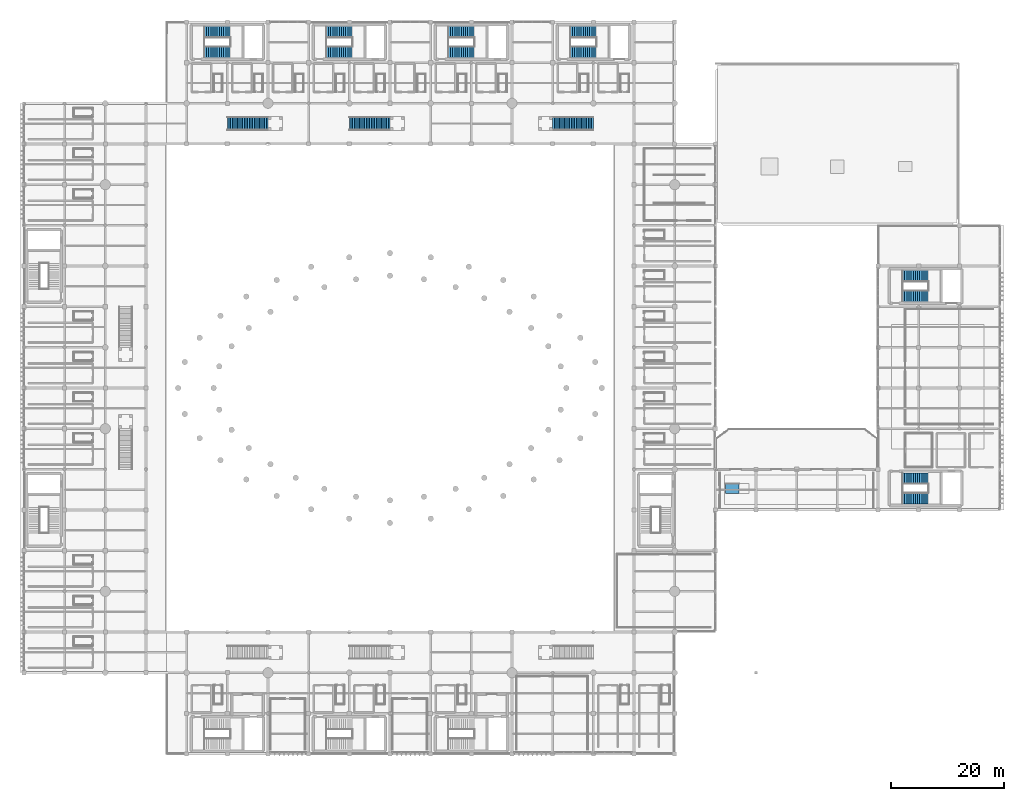
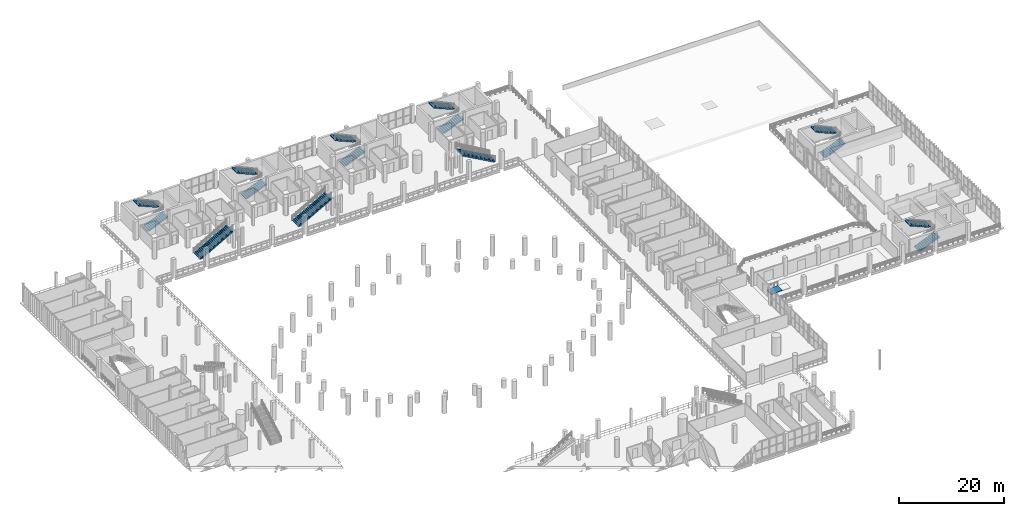
# One storey, part 113 of 130: 15 stair flights, 1 ramp flight, 10 elements without a shape of their own.
"""IFC4 building model written with IfcOpenShell, lengths in metres."""

from ifc_helpers import new_model, si_unit, direction, frame, origin, place, context, subcontext, project, spatial, polyline, outline, extrude, material, layer, layer_set, type_object, element, aggregate, save


model = new_model("IFC4")

# Units and contexts
model_context = context("Model", 3, precision=1e-05, world=origin(), true_north=direction((0.0, 1.0)))
body_context = subcontext(model_context, "Body", "Model", "MODEL_VIEW")
ifc_project = project(units=[si_unit("LENGTHUNIT", "METRE"), si_unit("AREAUNIT", "SQUARE_METRE"), si_unit("VOLUMEUNIT", "CUBIC_METRE"), si_unit("PLANEANGLEUNIT", "RADIAN"), si_unit("MASSUNIT", "GRAM", prefix="KILO")], contexts=[model_context])

# Site, building, storey
site_placement = place(None, origin())
site = spatial("IfcSite", under=ifc_project, at=site_placement, CompositionType="ELEMENT")
building_placement = place(site_placement, origin())
building = spatial("IfcBuilding", under=site, at=building_placement, Name="Qandorah Velis Arena", CompositionType="ELEMENT")
storey_placement = place(building_placement, frame((0.0, 0.0, 9.60009765625)))
storey = spatial("IfcBuildingStorey", under=building, at=storey_placement, Name="L02", CompositionType="ELEMENT", Elevation=9.60009765625)

# Stair, stair flights
ifc_material = material(Name="Concrete C40/50", Category="concrete")
stair_type_1 = type_object("IfcStairType", Name="ARC-ST-CORE42", PredefinedType="HALF_TURN_STAIR", material=ifc_material)
stair_1_placement = place(storey_placement, origin())
stair_1 = element("IfcStair", 1, at=stair_1_placement, inside=storey, type_object=stair_type_1, Name="Protected exit stair ST3 (L02)", PredefinedType="HALF_TURN_STAIR")
stair_flight_type_1 = type_object("IfcStairFlightType", Name="ARC-STF-1650", PredefinedType="STRAIGHT", material=ifc_material)
stair_flight_1_placement = place(storey_placement, frame((31.949951171875, 124.300048828125, 0.0), z_axis=(0.0, 0.0, 1.0), x_axis=(1.0, 0.0, 0.0)))
stair_flight_1 = element("IfcStairFlight", 2, at=stair_flight_1_placement, type_object=stair_flight_type_1, Name="ST3 flight 1", NumberOfRisers=13, NumberOfTreads=12, PredefinedType="STRAIGHT", RiserHeight=0.16154, TreadLength=0.378, context=body_context, shape_type="SweptSolid", body=[
    extrude(outline(polyline([(0.0, 0.0), (0.0, 0.16162109375), (0.3779296875, 0.16162109375), (0.3779296875, 0.322998046875), (0.756103515625, 0.322998046875), (0.756103515625, 0.484619140625), (1.134033203125, 0.484619140625), (1.134033203125, 0.646240234375), (1.511962890625, 0.646240234375), (1.511962890625, 0.8076171875), (1.889892578125, 0.8076171875), (1.889892578125, 0.96923828125), (2.26806640625, 0.96923828125), (2.26806640625, 1.130859375), (2.64599609375, 1.130859375), (2.64599609375, 1.292236328125), (3.02392578125, 1.292236328125), (3.02392578125, 1.453857421875), (3.402099609375, 1.453857421875), (3.402099609375, 1.615478515625), (3.780029296875, 1.615478515625), (3.780029296875, 1.77685546875), (4.157958984375, 1.77685546875), (4.157958984375, 1.9384765625), (4.535888671875, 1.9384765625), (4.535888671875, 2.10009765625), (4.535888671875, 1.69921875), (0.559814453125, 0.0), (0.0, 0.0)])), frame((0.0, 0.989990234375, 0.0), z_axis=(0.0, -1.0, 0.0), x_axis=(1.0, 0.0, 0.0)), (0.0, 0.0, 1.0), 1.97998046875),
])
stair_flight_2_placement = place(storey_placement, frame((36.486083984375, 127.800048828125, 2.099853515625), z_axis=(0.0, 0.0, 1.0), x_axis=(-1.0, 0.0, 0.0)))
stair_flight_2 = element("IfcStairFlight", 3, at=stair_flight_2_placement, type_object=stair_flight_type_1, Name="ST3 flight 2", NumberOfRisers=13, NumberOfTreads=12, PredefinedType="STRAIGHT", RiserHeight=0.16154, TreadLength=0.378, context=body_context, shape_type="SweptSolid", body=[
    extrude(outline(polyline([(0.0, 0.0), (0.0, 0.16162109375), (0.3779296875, 0.16162109375), (0.3779296875, 0.322998046875), (0.756103515625, 0.322998046875), (0.756103515625, 0.484619140625), (1.134033203125, 0.484619140625), (1.134033203125, 0.646240234375), (1.511962890625, 0.646240234375), (1.511962890625, 0.8076171875), (1.889892578125, 0.8076171875), (1.889892578125, 0.96923828125), (2.26806640625, 0.96923828125), (2.26806640625, 1.130859375), (2.64599609375, 1.130859375), (2.64599609375, 1.292236328125), (3.02392578125, 1.292236328125), (3.02392578125, 1.453857421875), (3.402099609375, 1.453857421875), (3.402099609375, 1.615478515625), (3.780029296875, 1.615478515625), (3.780029296875, 1.77685546875), (4.157958984375, 1.77685546875), (4.157958984375, 1.9384765625), (4.535888671875, 1.9384765625), (4.535888671875, 2.10009765625), (4.535888671875, 1.69921875), (0.559814453125, 0.0), (0.0, 0.0)])), frame((0.0, 0.989990234375, 0.0), z_axis=(0.0, -1.0, 0.0), x_axis=(1.0, 0.0, 0.0)), (0.0, 0.0, 1.0), 1.97998046875),
])
aggregate(stair_1, [stair_flight_1, stair_flight_2])

stair_2_placement = place(storey_placement, origin())
stair_2 = element("IfcStair", 4, at=stair_2_placement, inside=storey, type_object=stair_type_1, Name="Protected exit stair ST4 (L02)", PredefinedType="HALF_TURN_STAIR")
stair_flight_3_placement = place(storey_placement, frame((75.14990234375, 124.300048828125, 0.0), z_axis=(0.0, 0.0, 1.0), x_axis=(1.0, 0.0, 0.0)))
stair_flight_3 = element("IfcStairFlight", 5, at=stair_flight_3_placement, type_object=stair_flight_type_1, Name="ST4 flight 1", NumberOfRisers=13, NumberOfTreads=12, PredefinedType="STRAIGHT", RiserHeight=0.16154, TreadLength=0.378, context=body_context, shape_type="SweptSolid", body=[
    extrude(outline(polyline([(0.0, 0.0), (0.0, 0.16162109375), (0.3779296875, 0.16162109375), (0.3779296875, 0.322998046875), (0.756103515625, 0.322998046875), (0.756103515625, 0.484619140625), (1.134033203125, 0.484619140625), (1.134033203125, 0.646240234375), (1.511962890625, 0.646240234375), (1.511962890625, 0.8076171875), (1.889892578125, 0.8076171875), (1.889892578125, 0.96923828125), (2.26806640625, 0.96923828125), (2.26806640625, 1.130859375), (2.64599609375, 1.130859375), (2.64599609375, 1.292236328125), (3.02392578125, 1.292236328125), (3.02392578125, 1.453857421875), (3.402099609375, 1.453857421875), (3.402099609375, 1.615478515625), (3.780029296875, 1.615478515625), (3.780029296875, 1.77685546875), (4.157958984375, 1.77685546875), (4.157958984375, 1.9384765625), (4.535888671875, 1.9384765625), (4.535888671875, 2.10009765625), (4.535888671875, 1.69921875), (0.559814453125, 0.0), (0.0, 0.0)])), frame((0.0, 0.989990234375, 0.0), z_axis=(0.0, -1.0, 0.0), x_axis=(1.0, 0.0, 0.0)), (0.0, 0.0, 1.0), 1.97998046875),
])
stair_flight_4_placement = place(storey_placement, frame((79.68603515625, 127.800048828125, 2.099853515625), z_axis=(0.0, 0.0, 1.0), x_axis=(-1.0, 0.0, 0.0)))
stair_flight_4 = element("IfcStairFlight", 6, at=stair_flight_4_placement, type_object=stair_flight_type_1, Name="ST4 flight 2", NumberOfRisers=13, NumberOfTreads=12, PredefinedType="STRAIGHT", RiserHeight=0.16154, TreadLength=0.378, context=body_context, shape_type="SweptSolid", body=[
    extrude(outline(polyline([(0.0, 0.0), (0.0, 0.16162109375), (0.3779296875, 0.16162109375), (0.3779296875, 0.322998046875), (0.756103515625, 0.322998046875), (0.756103515625, 0.484619140625), (1.134033203125, 0.484619140625), (1.134033203125, 0.646240234375), (1.511962890625, 0.646240234375), (1.511962890625, 0.8076171875), (1.889892578125, 0.8076171875), (1.889892578125, 0.96923828125), (2.26806640625, 0.96923828125), (2.26806640625, 1.130859375), (2.64599609375, 1.130859375), (2.64599609375, 1.292236328125), (3.02392578125, 1.292236328125), (3.02392578125, 1.453857421875), (3.402099609375, 1.453857421875), (3.402099609375, 1.615478515625), (3.780029296875, 1.615478515625), (3.780029296875, 1.77685546875), (4.157958984375, 1.77685546875), (4.157958984375, 1.9384765625), (4.535888671875, 1.9384765625), (4.535888671875, 2.10009765625), (4.535888671875, 1.69921875), (0.559814453125, 0.0), (0.0, 0.0)])), frame((0.0, 0.989990234375, 0.0), z_axis=(0.0, -1.0, 0.0), x_axis=(1.0, 0.0, 0.0)), (0.0, 0.0, 1.0), 1.97998046875),
])
aggregate(stair_2, [stair_flight_3, stair_flight_4])

stair_3_placement = place(storey_placement, origin())
stair_3 = element("IfcStair", 7, at=stair_3_placement, inside=storey, type_object=stair_type_1, Name="Protected exit stair ST7 (L02)", PredefinedType="HALF_TURN_STAIR")
stair_flight_5_placement = place(storey_placement, frame((155.550048828125, 45.300048828125, 0.0), z_axis=(0.0, 0.0, 1.0), x_axis=(1.0, 0.0, 0.0)))
stair_flight_5 = element("IfcStairFlight", 8, at=stair_flight_5_placement, type_object=stair_flight_type_1, Name="ST7 flight 1", NumberOfRisers=13, NumberOfTreads=12, PredefinedType="STRAIGHT", RiserHeight=0.16154, TreadLength=0.378, context=body_context, shape_type="SweptSolid", body=[
    extrude(outline(polyline([(0.0, 0.0), (0.0, 0.16162109375), (0.3779296875, 0.16162109375), (0.3779296875, 0.322998046875), (0.756103515625, 0.322998046875), (0.756103515625, 0.484619140625), (1.134033203125, 0.484619140625), (1.134033203125, 0.646240234375), (1.511962890625, 0.646240234375), (1.511962890625, 0.8076171875), (1.889892578125, 0.8076171875), (1.889892578125, 0.96923828125), (2.26806640625, 0.96923828125), (2.26806640625, 1.130859375), (2.64599609375, 1.130859375), (2.64599609375, 1.292236328125), (3.02392578125, 1.292236328125), (3.02392578125, 1.453857421875), (3.402099609375, 1.453857421875), (3.402099609375, 1.615478515625), (3.780029296875, 1.615478515625), (3.780029296875, 1.77685546875), (4.157958984375, 1.77685546875), (4.157958984375, 1.9384765625), (4.535888671875, 1.9384765625), (4.535888671875, 2.10009765625), (4.535888671875, 1.69921875), (0.559814453125, 0.0), (0.0, 0.0)])), frame((0.0, 0.989990234375, 0.0), z_axis=(0.0, -1.0, 0.0), x_axis=(1.0, 0.0, 0.0)), (0.0, 0.0, 1.0), 1.97998046875),
])
stair_flight_6_placement = place(storey_placement, frame((160.0859375, 48.800048828125, 2.099853515625), z_axis=(0.0, 0.0, 1.0), x_axis=(-1.0, 0.0, 0.0)))
stair_flight_6 = element("IfcStairFlight", 9, at=stair_flight_6_placement, type_object=stair_flight_type_1, Name="ST7 flight 2", NumberOfRisers=13, NumberOfTreads=12, PredefinedType="STRAIGHT", RiserHeight=0.16154, TreadLength=0.378, context=body_context, shape_type="SweptSolid", body=[
    extrude(outline(polyline([(0.0, 0.0), (0.0, 0.16162109375), (0.3779296875, 0.16162109375), (0.3779296875, 0.322998046875), (0.756103515625, 0.322998046875), (0.756103515625, 0.484619140625), (1.134033203125, 0.484619140625), (1.134033203125, 0.646240234375), (1.511962890625, 0.646240234375), (1.511962890625, 0.8076171875), (1.889892578125, 0.8076171875), (1.889892578125, 0.96923828125), (2.26806640625, 0.96923828125), (2.26806640625, 1.130859375), (2.64599609375, 1.130859375), (2.64599609375, 1.292236328125), (3.02392578125, 1.292236328125), (3.02392578125, 1.453857421875), (3.402099609375, 1.453857421875), (3.402099609375, 1.615478515625), (3.780029296875, 1.615478515625), (3.780029296875, 1.77685546875), (4.157958984375, 1.77685546875), (4.157958984375, 1.9384765625), (4.535888671875, 1.9384765625), (4.535888671875, 2.10009765625), (4.535888671875, 1.69921875), (0.559814453125, 0.0), (0.0, 0.0)])), frame((0.0, 0.989990234375, 0.0), z_axis=(0.0, -1.0, 0.0), x_axis=(1.0, 0.0, 0.0)), (0.0, 0.0, 1.0), 1.97998046875),
])
aggregate(stair_3, [stair_flight_5, stair_flight_6])

stair_4_placement = place(storey_placement, origin())
stair_4 = element("IfcStair", 10, at=stair_4_placement, inside=storey, type_object=stair_type_1, Name="Protected exit stair ST8 (L02)", PredefinedType="HALF_TURN_STAIR")
stair_flight_7_placement = place(storey_placement, frame((155.550048828125, 81.10009765625, 0.0), z_axis=(0.0, 0.0, 1.0), x_axis=(1.0, 0.0, 0.0)))
stair_flight_7 = element("IfcStairFlight", 11, at=stair_flight_7_placement, type_object=stair_flight_type_1, Name="ST8 flight 1", NumberOfRisers=13, NumberOfTreads=12, PredefinedType="STRAIGHT", RiserHeight=0.16154, TreadLength=0.378, context=body_context, shape_type="SweptSolid", body=[
    extrude(outline(polyline([(0.0, 0.0), (0.0, 0.16162109375), (0.3779296875, 0.16162109375), (0.3779296875, 0.322998046875), (0.756103515625, 0.322998046875), (0.756103515625, 0.484619140625), (1.134033203125, 0.484619140625), (1.134033203125, 0.646240234375), (1.511962890625, 0.646240234375), (1.511962890625, 0.8076171875), (1.889892578125, 0.8076171875), (1.889892578125, 0.96923828125), (2.26806640625, 0.96923828125), (2.26806640625, 1.130859375), (2.64599609375, 1.130859375), (2.64599609375, 1.292236328125), (3.02392578125, 1.292236328125), (3.02392578125, 1.453857421875), (3.402099609375, 1.453857421875), (3.402099609375, 1.615478515625), (3.780029296875, 1.615478515625), (3.780029296875, 1.77685546875), (4.157958984375, 1.77685546875), (4.157958984375, 1.9384765625), (4.535888671875, 1.9384765625), (4.535888671875, 2.10009765625), (4.535888671875, 1.69921875), (0.559814453125, 0.0), (0.0, 0.0)])), frame((0.0, 0.989990234375, 0.0), z_axis=(0.0, -1.0, 0.0), x_axis=(1.0, 0.0, 0.0)), (0.0, 0.0, 1.0), 1.97998046875),
])
stair_flight_8_placement = place(storey_placement, frame((160.0859375, 84.60009765625, 2.099853515625), z_axis=(0.0, 0.0, 1.0), x_axis=(-1.0, 0.0, 0.0)))
stair_flight_8 = element("IfcStairFlight", 12, at=stair_flight_8_placement, type_object=stair_flight_type_1, Name="ST8 flight 2", NumberOfRisers=13, NumberOfTreads=12, PredefinedType="STRAIGHT", RiserHeight=0.16154, TreadLength=0.378, context=body_context, shape_type="SweptSolid", body=[
    extrude(outline(polyline([(0.0, 0.0), (0.0, 0.16162109375), (0.3779296875, 0.16162109375), (0.3779296875, 0.322998046875), (0.756103515625, 0.322998046875), (0.756103515625, 0.484619140625), (1.134033203125, 0.484619140625), (1.134033203125, 0.646240234375), (1.511962890625, 0.646240234375), (1.511962890625, 0.8076171875), (1.889892578125, 0.8076171875), (1.889892578125, 0.96923828125), (2.26806640625, 0.96923828125), (2.26806640625, 1.130859375), (2.64599609375, 1.130859375), (2.64599609375, 1.292236328125), (3.02392578125, 1.292236328125), (3.02392578125, 1.453857421875), (3.402099609375, 1.453857421875), (3.402099609375, 1.615478515625), (3.780029296875, 1.615478515625), (3.780029296875, 1.77685546875), (4.157958984375, 1.77685546875), (4.157958984375, 1.9384765625), (4.535888671875, 1.9384765625), (4.535888671875, 2.10009765625), (4.535888671875, 1.69921875), (0.559814453125, 0.0), (0.0, 0.0)])), frame((0.0, 0.989990234375, 0.0), z_axis=(0.0, -1.0, 0.0), x_axis=(1.0, 0.0, 0.0)), (0.0, 0.0, 1.0), 1.97998046875),
])
aggregate(stair_4, [stair_flight_7, stair_flight_8])

stair_5_placement = place(storey_placement, origin())
stair_5 = element("IfcStair", 13, at=stair_5_placement, inside=storey, type_object=stair_type_1, Name="Protected exit stair ST10 (L02)", PredefinedType="HALF_TURN_STAIR")
stair_flight_9_placement = place(storey_placement, frame((53.550048828125, 124.300048828125, 0.0), z_axis=(0.0, 0.0, 1.0), x_axis=(1.0, 0.0, 0.0)))
stair_flight_9 = element("IfcStairFlight", 14, at=stair_flight_9_placement, type_object=stair_flight_type_1, Name="ST10 flight 1", NumberOfRisers=13, NumberOfTreads=12, PredefinedType="STRAIGHT", RiserHeight=0.16154, TreadLength=0.378, context=body_context, shape_type="SweptSolid", body=[
    extrude(outline(polyline([(0.0, 0.0), (0.0, 0.16162109375), (0.3779296875, 0.16162109375), (0.3779296875, 0.322998046875), (0.756103515625, 0.322998046875), (0.756103515625, 0.484619140625), (1.134033203125, 0.484619140625), (1.134033203125, 0.646240234375), (1.511962890625, 0.646240234375), (1.511962890625, 0.8076171875), (1.889892578125, 0.8076171875), (1.889892578125, 0.96923828125), (2.26806640625, 0.96923828125), (2.26806640625, 1.130859375), (2.64599609375, 1.130859375), (2.64599609375, 1.292236328125), (3.02392578125, 1.292236328125), (3.02392578125, 1.453857421875), (3.402099609375, 1.453857421875), (3.402099609375, 1.615478515625), (3.780029296875, 1.615478515625), (3.780029296875, 1.77685546875), (4.157958984375, 1.77685546875), (4.157958984375, 1.9384765625), (4.535888671875, 1.9384765625), (4.535888671875, 2.10009765625), (4.535888671875, 1.69921875), (0.559814453125, 0.0), (0.0, 0.0)])), frame((0.0, 0.989990234375, 0.0), z_axis=(0.0, -1.0, 0.0), x_axis=(1.0, 0.0, 0.0)), (0.0, 0.0, 1.0), 1.97998046875),
])
stair_flight_10_placement = place(storey_placement, frame((58.0859375, 127.800048828125, 2.099853515625), z_axis=(0.0, 0.0, 1.0), x_axis=(-1.0, 0.0, 0.0)))
stair_flight_10 = element("IfcStairFlight", 15, at=stair_flight_10_placement, type_object=stair_flight_type_1, Name="ST10 flight 2", NumberOfRisers=13, NumberOfTreads=12, PredefinedType="STRAIGHT", RiserHeight=0.16154, TreadLength=0.378, context=body_context, shape_type="SweptSolid", body=[
    extrude(outline(polyline([(0.0, 0.0), (0.0, 0.16162109375), (0.3779296875, 0.16162109375), (0.3779296875, 0.322998046875), (0.756103515625, 0.322998046875), (0.756103515625, 0.484619140625), (1.134033203125, 0.484619140625), (1.134033203125, 0.646240234375), (1.511962890625, 0.646240234375), (1.511962890625, 0.8076171875), (1.889892578125, 0.8076171875), (1.889892578125, 0.96923828125), (2.26806640625, 0.96923828125), (2.26806640625, 1.130859375), (2.64599609375, 1.130859375), (2.64599609375, 1.292236328125), (3.02392578125, 1.292236328125), (3.02392578125, 1.453857421875), (3.402099609375, 1.453857421875), (3.402099609375, 1.615478515625), (3.780029296875, 1.615478515625), (3.780029296875, 1.77685546875), (4.157958984375, 1.77685546875), (4.157958984375, 1.9384765625), (4.535888671875, 1.9384765625), (4.535888671875, 2.10009765625), (4.535888671875, 1.69921875), (0.559814453125, 0.0), (0.0, 0.0)])), frame((0.0, 0.989990234375, 0.0), z_axis=(0.0, -1.0, 0.0), x_axis=(1.0, 0.0, 0.0)), (0.0, 0.0, 1.0), 1.97998046875),
])
aggregate(stair_5, [stair_flight_9, stair_flight_10])

stair_6_placement = place(storey_placement, origin())
stair_6 = element("IfcStair", 16, at=stair_6_placement, inside=storey, type_object=stair_type_1, Name="Protected exit stair ST12 (L02)", PredefinedType="HALF_TURN_STAIR")
stair_flight_11_placement = place(storey_placement, frame((96.75, 124.300048828125, 0.0), z_axis=(0.0, 0.0, 1.0), x_axis=(1.0, 0.0, 0.0)))
stair_flight_11 = element("IfcStairFlight", 17, at=stair_flight_11_placement, type_object=stair_flight_type_1, Name="ST12 flight 1", NumberOfRisers=13, NumberOfTreads=12, PredefinedType="STRAIGHT", RiserHeight=0.16154, TreadLength=0.378, context=body_context, shape_type="SweptSolid", body=[
    extrude(outline(polyline([(0.0, 0.0), (0.0, 0.16162109375), (0.3779296875, 0.16162109375), (0.3779296875, 0.322998046875), (0.756103515625, 0.322998046875), (0.756103515625, 0.484619140625), (1.134033203125, 0.484619140625), (1.134033203125, 0.646240234375), (1.511962890625, 0.646240234375), (1.511962890625, 0.8076171875), (1.889892578125, 0.8076171875), (1.889892578125, 0.96923828125), (2.26806640625, 0.96923828125), (2.26806640625, 1.130859375), (2.64599609375, 1.130859375), (2.64599609375, 1.292236328125), (3.02392578125, 1.292236328125), (3.02392578125, 1.453857421875), (3.402099609375, 1.453857421875), (3.402099609375, 1.615478515625), (3.780029296875, 1.615478515625), (3.780029296875, 1.77685546875), (4.157958984375, 1.77685546875), (4.157958984375, 1.9384765625), (4.535888671875, 1.9384765625), (4.535888671875, 2.10009765625), (4.535888671875, 1.69921875), (0.559814453125, 0.0), (0.0, 0.0)])), frame((0.0, 0.989990234375, 0.0), z_axis=(0.0, -1.0, 0.0), x_axis=(1.0, 0.0, 0.0)), (0.0, 0.0, 1.0), 1.97998046875),
])
stair_flight_12_placement = place(storey_placement, frame((101.285888671875, 127.800048828125, 2.099853515625), z_axis=(0.0, 0.0, 1.0), x_axis=(-1.0, 0.0, 0.0)))
stair_flight_12 = element("IfcStairFlight", 18, at=stair_flight_12_placement, type_object=stair_flight_type_1, Name="ST12 flight 2", NumberOfRisers=13, NumberOfTreads=12, PredefinedType="STRAIGHT", RiserHeight=0.16154, TreadLength=0.378, context=body_context, shape_type="SweptSolid", body=[
    extrude(outline(polyline([(0.0, 0.0), (0.0, 0.16162109375), (0.3779296875, 0.16162109375), (0.3779296875, 0.322998046875), (0.756103515625, 0.322998046875), (0.756103515625, 0.484619140625), (1.134033203125, 0.484619140625), (1.134033203125, 0.646240234375), (1.511962890625, 0.646240234375), (1.511962890625, 0.8076171875), (1.889892578125, 0.8076171875), (1.889892578125, 0.96923828125), (2.26806640625, 0.96923828125), (2.26806640625, 1.130859375), (2.64599609375, 1.130859375), (2.64599609375, 1.292236328125), (3.02392578125, 1.292236328125), (3.02392578125, 1.453857421875), (3.402099609375, 1.453857421875), (3.402099609375, 1.615478515625), (3.780029296875, 1.615478515625), (3.780029296875, 1.77685546875), (4.157958984375, 1.77685546875), (4.157958984375, 1.9384765625), (4.535888671875, 1.9384765625), (4.535888671875, 2.10009765625), (4.535888671875, 1.69921875), (0.559814453125, 0.0), (0.0, 0.0)])), frame((0.0, 0.989990234375, 0.0), z_axis=(0.0, -1.0, 0.0), x_axis=(1.0, 0.0, 0.0)), (0.0, 0.0, 1.0), 1.97998046875),
])
aggregate(stair_6, [stair_flight_11, stair_flight_12])

# Stair, stair flight
stair_type_2 = type_object("IfcStairType", Name="ARC-ST-VOM2400", PredefinedType="STRAIGHT_RUN_STAIR", material=ifc_material)
stair_7_placement = place(storey_placement, origin())
stair_7 = element("IfcStair", 19, at=stair_7_placement, inside=storey, type_object=stair_type_2, Name="Spectator vomitory stair VS12 (L02)", PredefinedType="STRAIGHT_RUN_STAIR")
stair_flight_type_2 = type_object("IfcStairFlightType", Name="ARC-STF-2400", PredefinedType="STRAIGHT", material=ifc_material)
stair_flight_13_placement = place(storey_placement, frame((36.0, 111.60009765625, 0.0), z_axis=(0.0, 0.0, 1.0), x_axis=(1.0, 0.0, 0.0)))
stair_flight_13 = element("IfcStairFlight", 20, at=stair_flight_13_placement, type_object=stair_flight_type_2, Name="VS12 flight 1", NumberOfRisers=25, NumberOfTreads=24, PredefinedType="STRAIGHT", RiserHeight=0.168, TreadLength=0.3, context=body_context, shape_type="SweptSolid", body=[
    extrude(outline(polyline([(0.0, 0.0), (0.0, 0.16796875), (0.300048828125, 0.16796875), (0.300048828125, 0.3359375), (0.60009765625, 0.3359375), (0.60009765625, 0.50390625), (0.89990234375, 0.50390625), (0.89990234375, 0.672119140625), (1.199951171875, 0.672119140625), (1.199951171875, 0.840087890625), (1.5, 0.840087890625), (1.5, 1.008056640625), (1.800048828125, 1.008056640625), (1.800048828125, 1.176025390625), (2.10009765625, 1.176025390625), (2.10009765625, 1.343994140625), (2.39990234375, 1.343994140625), (2.39990234375, 1.511962890625), (2.699951171875, 1.511962890625), (2.699951171875, 1.679931640625), (3.0, 1.679931640625), (3.0, 1.847900390625), (3.300048828125, 1.847900390625), (3.300048828125, 2.01611328125), (3.60009765625, 2.01611328125), (3.60009765625, 2.18408203125), (3.89990234375, 2.18408203125), (3.89990234375, 2.35205078125), (4.199951171875, 2.35205078125), (4.199951171875, 2.52001953125), (4.5, 2.52001953125), (4.5, 2.68798828125), (4.800048828125, 2.68798828125), (4.800048828125, 2.85595703125), (5.10009765625, 2.85595703125), (5.10009765625, 3.02392578125), (5.39990234375, 3.02392578125), (5.39990234375, 3.19189453125), (5.699951171875, 3.19189453125), (5.699951171875, 3.360107421875), (6.0, 3.360107421875), (6.0, 3.528076171875), (6.300048828125, 3.528076171875), (6.300048828125, 3.696044921875), (6.60009765625, 3.696044921875), (6.60009765625, 3.864013671875), (6.89990234375, 3.864013671875), (6.89990234375, 4.031982421875), (7.199951171875, 4.031982421875), (7.199951171875, 4.199951171875), (7.199951171875, 3.7568359375), (0.4912109375, 0.0), (0.0, 0.0)])), frame((0.0, 1.199951171875, 0.0), z_axis=(0.0, -1.0, 0.0), x_axis=(1.0, 0.0, 0.0)), (0.0, 0.0, 1.0), 2.39990234375),
])
aggregate(stair_7, [stair_flight_13])

stair_8_placement = place(storey_placement, origin())
stair_8 = element("IfcStair", 21, at=stair_8_placement, inside=storey, type_object=stair_type_2, Name="Spectator vomitory stair VS13 (L02)", PredefinedType="STRAIGHT_RUN_STAIR")
stair_flight_14_placement = place(storey_placement, frame((57.60009765625, 111.60009765625, 0.0), z_axis=(0.0, 0.0, 1.0), x_axis=(1.0, 0.0, 0.0)))
stair_flight_14 = element("IfcStairFlight", 22, at=stair_flight_14_placement, type_object=stair_flight_type_2, Name="VS13 flight 1", NumberOfRisers=25, NumberOfTreads=24, PredefinedType="STRAIGHT", RiserHeight=0.168, TreadLength=0.3, context=body_context, shape_type="SweptSolid", body=[
    extrude(outline(polyline([(0.0, 0.0), (0.0, 0.16796875), (0.300048828125, 0.16796875), (0.300048828125, 0.3359375), (0.60009765625, 0.3359375), (0.60009765625, 0.50390625), (0.89990234375, 0.50390625), (0.89990234375, 0.672119140625), (1.199951171875, 0.672119140625), (1.199951171875, 0.840087890625), (1.5, 0.840087890625), (1.5, 1.008056640625), (1.800048828125, 1.008056640625), (1.800048828125, 1.176025390625), (2.10009765625, 1.176025390625), (2.10009765625, 1.343994140625), (2.39990234375, 1.343994140625), (2.39990234375, 1.511962890625), (2.699951171875, 1.511962890625), (2.699951171875, 1.679931640625), (3.0, 1.679931640625), (3.0, 1.847900390625), (3.300048828125, 1.847900390625), (3.300048828125, 2.01611328125), (3.60009765625, 2.01611328125), (3.60009765625, 2.18408203125), (3.89990234375, 2.18408203125), (3.89990234375, 2.35205078125), (4.199951171875, 2.35205078125), (4.199951171875, 2.52001953125), (4.5, 2.52001953125), (4.5, 2.68798828125), (4.800048828125, 2.68798828125), (4.800048828125, 2.85595703125), (5.10009765625, 2.85595703125), (5.10009765625, 3.02392578125), (5.39990234375, 3.02392578125), (5.39990234375, 3.19189453125), (5.699951171875, 3.19189453125), (5.699951171875, 3.360107421875), (6.0, 3.360107421875), (6.0, 3.528076171875), (6.300048828125, 3.528076171875), (6.300048828125, 3.696044921875), (6.60009765625, 3.696044921875), (6.60009765625, 3.864013671875), (6.89990234375, 3.864013671875), (6.89990234375, 4.031982421875), (7.199951171875, 4.031982421875), (7.199951171875, 4.199951171875), (7.199951171875, 3.7568359375), (0.4912109375, 0.0), (0.0, 0.0)])), frame((0.0, 1.199951171875, 0.0), z_axis=(0.0, -1.0, 0.0), x_axis=(1.0, 0.0, 0.0)), (0.0, 0.0, 1.0), 2.39990234375),
])
aggregate(stair_8, [stair_flight_14])

stair_9_placement = place(storey_placement, origin())
stair_9 = element("IfcStair", 23, at=stair_9_placement, inside=storey, type_object=stair_type_2, Name="Spectator vomitory stair VS14 (L02)", PredefinedType="STRAIGHT_RUN_STAIR")
stair_flight_15_placement = place(storey_placement, frame((100.800048828125, 111.60009765625, 0.0), z_axis=(0.0, 0.0, 1.0), x_axis=(-1.0, 0.0, 0.0)))
stair_flight_15 = element("IfcStairFlight", 24, at=stair_flight_15_placement, type_object=stair_flight_type_2, Name="VS14 flight 1", NumberOfRisers=25, NumberOfTreads=24, PredefinedType="STRAIGHT", RiserHeight=0.168, TreadLength=0.3, context=body_context, shape_type="SweptSolid", body=[
    extrude(outline(polyline([(0.0, 0.0), (0.0, 0.16796875), (0.300048828125, 0.16796875), (0.300048828125, 0.3359375), (0.60009765625, 0.3359375), (0.60009765625, 0.50390625), (0.89990234375, 0.50390625), (0.89990234375, 0.672119140625), (1.199951171875, 0.672119140625), (1.199951171875, 0.840087890625), (1.5, 0.840087890625), (1.5, 1.008056640625), (1.800048828125, 1.008056640625), (1.800048828125, 1.176025390625), (2.10009765625, 1.176025390625), (2.10009765625, 1.343994140625), (2.39990234375, 1.343994140625), (2.39990234375, 1.511962890625), (2.699951171875, 1.511962890625), (2.699951171875, 1.679931640625), (3.0, 1.679931640625), (3.0, 1.847900390625), (3.300048828125, 1.847900390625), (3.300048828125, 2.01611328125), (3.60009765625, 2.01611328125), (3.60009765625, 2.18408203125), (3.89990234375, 2.18408203125), (3.89990234375, 2.35205078125), (4.199951171875, 2.35205078125), (4.199951171875, 2.52001953125), (4.5, 2.52001953125), (4.5, 2.68798828125), (4.800048828125, 2.68798828125), (4.800048828125, 2.85595703125), (5.10009765625, 2.85595703125), (5.10009765625, 3.02392578125), (5.39990234375, 3.02392578125), (5.39990234375, 3.19189453125), (5.699951171875, 3.19189453125), (5.699951171875, 3.360107421875), (6.0, 3.360107421875), (6.0, 3.528076171875), (6.300048828125, 3.528076171875), (6.300048828125, 3.696044921875), (6.60009765625, 3.696044921875), (6.60009765625, 3.864013671875), (6.89990234375, 3.864013671875), (6.89990234375, 4.031982421875), (7.199951171875, 4.031982421875), (7.199951171875, 4.199951171875), (7.199951171875, 3.7568359375), (0.4912109375, 0.0), (0.0, 0.0)])), frame((0.0, 1.199951171875, 0.0), z_axis=(0.0, -1.0, 0.0), x_axis=(1.0, 0.0, 0.0)), (0.0, 0.0, 1.0), 2.39990234375),
])
aggregate(stair_9, [stair_flight_15])

# Ramp, ramp flight
ramp_type = type_object("IfcRampType", Name="ARC-RMP-PED1800", PredefinedType="TWO_STRAIGHT_RUN_RAMP", material=ifc_material)
ramp_placement = place(storey_placement, origin())
ramp = element("IfcRamp", 25, at=ramp_placement, inside=storey, type_object=ramp_type, Name="Accessible pedestrian threshold ramp PR4", PredefinedType="TWO_STRAIGHT_RUN_RAMP")
ifc_layer = layer(ifc_material, 0.25)
ifc_layer_set = layer_set([ifc_layer], Name="Concrete C40/50")
ramp_flight_type = type_object("IfcRampFlightType", Name="ARC-RMF-PED1800", PredefinedType="STRAIGHT", material=ifc_layer_set)
ramp_flight_placement = place(storey_placement, frame((124.199951171875, 47.0, 0.0), z_axis=(0.0, 0.0, 1.0), x_axis=(1.0, 0.0, 0.0)))
ramp_flight = element("IfcRampFlight", 26, at=ramp_flight_placement, type_object=ramp_flight_type, Name="Accessible pedestrian threshold ramp PR4 flight 1", PredefinedType="STRAIGHT", context=body_context, shape_type="SweptSolid", body=[
    extrude(outline(polyline([(0.0, 0.0), (2.400146484375, 0.14990234375), (2.400146484375, 0.0), (0.0, -0.14990234375), (0.0, 0.0)])), frame((0.0, 0.89990234375, 0.0), z_axis=(0.0, -1.0, 0.0), x_axis=(1.0, 0.0, 0.0)), (0.0, 0.0, 1.0), 1.7998046875),
])
aggregate(ramp, [ramp_flight])

save(model, "model.ifc")
